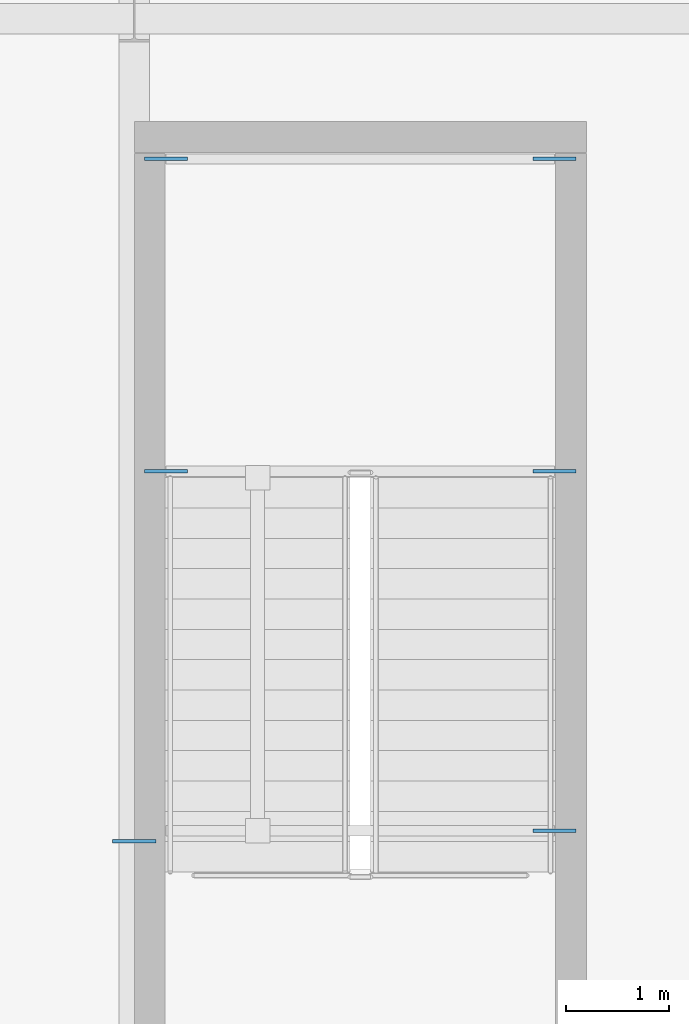
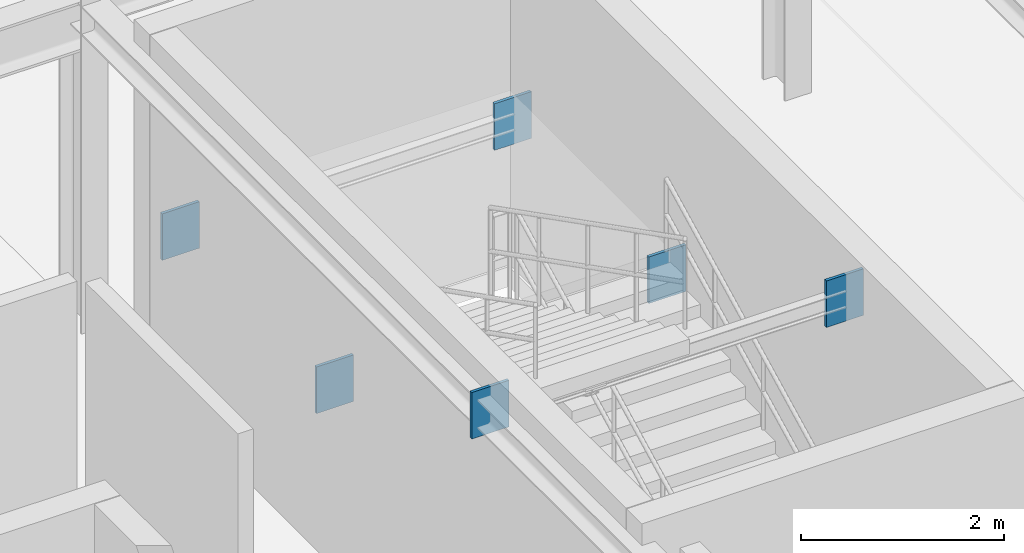
# One storey, part 74 of 124: 6 plates.
"""IFC4 building model written with IfcOpenShell, lengths in metres."""

import ifcopenshell
import ifcopenshell.guid

model = None  # the IFC model being written
_history = None  # IfcOwnerHistory: only IFC2X3 demands one
_inside = {}  # id of a spatial element -> (the spatial element, [elements in it])
_under = {}  # id of a project, library or spatial element -> (it, [spatial elements below it])
_declared = {}  # id of a project -> (the project, [libraries it declares])
_typed = {}  # id of a type object -> (the type object, [elements of that type])
_made_of = {}  # id of a material, layer set ... -> (it, [elements and type objects made of it])


def new_model(schema):
    """Start an empty IFC model of exactly this schema.

    Asked for "IFC4X3", IfcOpenShell would pick the latest addendum, in which some entities
    have other attributes; the version numbers below select the first issue.
    IFC2X3 requires an IfcOwnerHistory on every rooted entity: one is made here for all.
    """
    global model, _history
    if schema == "IFC4X3":
        model = ifcopenshell.file(schema_version=(4, 3, 0, 0))
    else:
        model = ifcopenshell.file(schema=schema)
    _inside.clear()
    _under.clear()
    _declared.clear()
    _typed.clear()
    _made_of.clear()
    _history = None
    if model.schema == "IFC2X3":
        org = make("IfcOrganization", Name="unknown")
        user = make(
            "IfcPersonAndOrganization",
            ThePerson=make("IfcPerson", FamilyName="unknown"),
            TheOrganization=org,
        )
        app = make(
            "IfcApplication",
            ApplicationDeveloper=org,
            Version="unknown",
            ApplicationFullName="unknown",
            ApplicationIdentifier="unknown",
        )
        _history = make(
            "IfcOwnerHistory",
            OwningUser=user,
            OwningApplication=app,
            ChangeAction="ADDED",
            CreationDate=0,
        )
    return model


def make(cls, **values):
    """One entity of the class cls with the attributes given. An attribute that is None is left unset."""
    return model.create_entity(
        cls, **{name: value for name, value in values.items() if value is not None}
    )


def rooted(cls, **values):
    """An entity with a GlobalId (a new one), such as an element, a storey or a relation."""
    return make(cls, GlobalId=ifcopenshell.guid.new(), OwnerHistory=_history, **values)


def si_unit(unit_type, name, prefix=None):
    """IfcSIUnit, for example si_unit("LENGTHUNIT", "METRE", prefix="MILLI")."""
    return make("IfcSIUnit", UnitType=unit_type, Prefix=prefix, Name=name)


def assignment(units):
    """IfcUnitAssignment: the units of a project."""
    return None if units is None else make("IfcUnitAssignment", Units=units)


def point(xyz):
    """IfcCartesianPoint."""
    return None if xyz is None else make("IfcCartesianPoint", Coordinates=xyz)


def direction(xyz):
    """IfcDirection."""
    return None if xyz is None else make("IfcDirection", DirectionRatios=xyz)


def frame(location, z_axis=None, x_axis=None):
    """IfcAxis2Placement3D, a coordinate frame: its origin and axes. An axis left out is left unset."""
    return make(
        "IfcAxis2Placement3D",
        Location=point(location),
        Axis=direction(z_axis),
        RefDirection=direction(x_axis),
    )


def frame_2d(location, x_axis=None):
    """IfcAxis2Placement2D, a coordinate frame in the plane: its origin and x axis."""
    return make(
        "IfcAxis2Placement2D", Location=point(location), RefDirection=direction(x_axis)
    )


def origin():
    """The frame at (0, 0, 0) with its axes left unset."""
    return frame((0.0, 0.0, 0.0))


def origin_2d():
    """The frame at (0, 0) in the plane with its x axis left unset."""
    return frame_2d((0.0, 0.0))


def place(relative_to, where):
    """IfcLocalPlacement: puts the frame where relative to a parent placement (None: the world)."""
    return make(
        "IfcLocalPlacement", PlacementRelTo=relative_to, RelativePlacement=where
    )


def context(
    kind, dimensions, precision=None, world=None, true_north=None, identifier=None
):
    """IfcGeometricRepresentationContext, for example the 3D "Model" context."""
    return make(
        "IfcGeometricRepresentationContext",
        ContextIdentifier=identifier,
        ContextType=kind,
        CoordinateSpaceDimension=dimensions,
        Precision=precision,
        WorldCoordinateSystem=world,
        TrueNorth=true_north,
    )


def subcontext(parent, identifier, kind, view, scale=None):
    """IfcGeometricRepresentationSubContext, for example "Body" below "Model"."""
    return make(
        "IfcGeometricRepresentationSubContext",
        ContextIdentifier=identifier,
        ContextType=kind,
        ParentContext=parent,
        TargetScale=scale,
        TargetView=view,
    )


def project(units=None, contexts=None):
    """IfcProject with its units and contexts."""
    return rooted(
        "IfcProject",
        Name="project",
        RepresentationContexts=contexts,
        UnitsInContext=assignment(units),
    )


def spatial(cls, under=None, at=None, **own):
    """A site, building, storey or space (cls), placed at a placement, below another one or the project."""
    s = rooted(cls, ObjectPlacement=at, **own)
    if under is not None:
        _under.setdefault(under.id(), (under, []))[1].append(s)
    return s


def profile(cls, at=None, kind="AREA", **sizes):
    """A parametric profile (cls). Its sizes go by their IFC names, for example OverallWidth=200.0."""
    return make(cls, ProfileType=kind, Position=at, **sizes)


def rectangle(**sizes):
    """IfcRectangleProfileDef."""
    return profile("IfcRectangleProfileDef", **sizes)


def extrude(swept, where, along, depth):
    """IfcExtrudedAreaSolid: the profile swept, set in the frame where, extruded along a direction by depth."""
    return make(
        "IfcExtrudedAreaSolid",
        SweptArea=swept,
        Position=where,
        ExtrudedDirection=direction(along),
        Depth=depth,
    )


def shape(context_of_items, identifier, shape_type, items):
    """IfcShapeRepresentation: the items that make up one representation, for example the "Body"."""
    return make(
        "IfcShapeRepresentation",
        ContextOfItems=context_of_items,
        RepresentationIdentifier=identifier,
        RepresentationType=shape_type,
        Items=items,
    )


def material(Name=None, Category=None):
    """IfcMaterial."""
    return make("IfcMaterial", Name=Name, Category=Category)


def layer(
    of_material, thickness, ventilated=None, Name=None, Category=None, Priority=None
):
    """IfcMaterialLayer: one layer of a wall or slab, of a material (None: an air gap)."""
    return make(
        "IfcMaterialLayer",
        Material=of_material,
        LayerThickness=thickness,
        IsVentilated=ventilated,
        Name=Name,
        Category=Category,
        Priority=Priority,
    )


def layer_set(layers, Name=None):
    """IfcMaterialLayerSet."""
    return make("IfcMaterialLayerSet", MaterialLayers=layers, LayerSetName=Name)


def made_of(thing, what):
    """Note that an element or type object is made of a material, layer set ...; save() writes the relation."""
    if what is not None:
        _made_of.setdefault(what.id(), (what, []))[1].append(thing)
    return thing


def type_object(cls, material=None, **own):
    """A type object (cls), such as IfcWallType, which elements share."""
    return made_of(rooted(cls, **own), material)


def element(
    cls,
    number,
    at=None,
    inside=None,
    cuts=None,
    type_object=None,
    material=None,
    context=None,
    identifier="Body",
    shape_type=None,
    held_by="IfcProductDefinitionShape",
    body=None,
    shapes=None,
    **own,
):
    """One element of the class cls, such as IfcWall. Its Tag is "e" and its number.

    at: its placement. inside: the storey or other place that contains it. cuts: it is an
    opening in that element (IfcRelVoidsElement). A single representation is given by context,
    identifier, shape_type and body (its items); several are given by shapes. held_by: the class
    of the entity that holds the representations. save() writes the other relations.
    """
    e = rooted(cls, Tag="e%d" % number, ObjectPlacement=at, **own)
    if body is not None:
        shapes = [shape(context, identifier, shape_type, body)]
    if shapes is not None:
        e.Representation = make(held_by, Representations=shapes)
    if inside is not None:
        _inside.setdefault(inside.id(), (inside, []))[1].append(e)
    if cuts is not None:
        rooted(
            "IfcRelVoidsElement", RelatingBuildingElement=cuts, RelatedOpeningElement=e
        )
    if type_object is not None:
        _typed.setdefault(type_object.id(), (type_object, []))[1].append(e)
    return made_of(e, material)


def aggregate(whole, parts):
    """IfcRelAggregates: a whole, such as a stair, and the parts it consists of."""
    return rooted("IfcRelAggregates", RelatingObject=whole, RelatedObjects=parts)


def save(model, path):
    """Write the relations noted so far, then the file.

    IfcRelAggregates (storeys below a building ...), IfcRelContainedInSpatialStructure (elements
    in a storey), IfcRelDefinesByType, IfcRelAssociatesMaterial and IfcRelDeclares: one each for
    every whole, place, type object, material and project.
    """
    for whole, parts in _under.values():
        aggregate(whole, parts)
    for where, things in _inside.values():
        rooted(
            "IfcRelContainedInSpatialStructure",
            RelatedElements=things,
            RelatingStructure=where,
        )
    for kind, things in _typed.values():
        rooted("IfcRelDefinesByType", RelatedObjects=things, RelatingType=kind)
    for what, things in _made_of.values():
        rooted("IfcRelAssociatesMaterial", RelatedObjects=things, RelatingMaterial=what)
    for by, libraries in _declared.values():
        rooted("IfcRelDeclares", RelatingContext=by, RelatedDefinitions=libraries)
    model.write(path)


model = new_model("IFC4")

# Units and contexts
model_context = context("Model", 3, precision=1e-05, world=origin(), true_north=direction((0.0, 1.0)))
body_context = subcontext(model_context, "Body", "Model", "MODEL_VIEW")
ifc_project = project(units=[si_unit("LENGTHUNIT", "METRE"), si_unit("AREAUNIT", "SQUARE_METRE"), si_unit("VOLUMEUNIT", "CUBIC_METRE"), si_unit("PLANEANGLEUNIT", "RADIAN"), si_unit("MASSUNIT", "GRAM", prefix="KILO")], contexts=[model_context])

# Site, building, storey
site_placement = place(None, origin())
site = spatial("IfcSite", under=ifc_project, at=site_placement, CompositionType="ELEMENT")
building_placement = place(site_placement, origin())
building = spatial("IfcBuilding", under=site, at=building_placement, Name="Sundkrona Museum", CompositionType="ELEMENT")
storey_placement = place(building_placement, frame((0.0, 0.0, 17.60009765625)))
storey = spatial("IfcBuildingStorey", under=building, at=storey_placement, Name="L03", CompositionType="ELEMENT", Elevation=17.60009765625)

# Plates
ifc_material = material(Name="Steel S355J2", Category="steel")
ifc_layer = layer(ifc_material, 0.034912109375)
ifc_layer_set = layer_set([ifc_layer], Name="Steel S355J2")
plate_type = type_object("IfcPlateType", Name="EP-1", PredefinedType="USERDEFINED", material=ifc_layer_set)
for number, where, z_axis, x_axis, name in (
    (1, (120.0, 8.0, 3.48486328125), (0.0, 0.0, 1.0), (1.0, 0.0, 0.0), "Core Wall Cast-In Embed Plate BM-L03-Y-1622-2"),
    (2, (120.31005859375, 11.598388671875, 1.499755859375), (0.0, 0.0, 1.0), (1.0, 0.0, 0.0), "Core Wall Cast-In Embed Plate BM-STLD-ST-2-L03-1A-1"),
    (3, (124.090087890625, 11.598388671875, 1.499755859375), (0.0, 0.0, 1.0), (1.0, 0.0, 0.0), "Core Wall Cast-In Embed Plate BM-STLD-ST-2-L03-1A-2"),
    (4, (120.31005859375, 14.63671875, 1.499755859375), (0.0, 0.0, 1.0), (1.0, 0.0, 0.0), "Core Wall Cast-In Embed Plate BM-STLD-ST-2-L03-1B-1"),
    (5, (124.090087890625, 14.63671875, 1.499755859375), (0.0, 0.0, 1.0), (1.0, 0.0, 0.0), "Core Wall Cast-In Embed Plate BM-STLD-ST-2-L03-1B-2"),
    (6, (124.090087890625, 8.10009765625, 3.333251953125), (0.0, 0.0, 1.0), (1.0, 0.0, 0.0), "Core Wall Cast-In Embed Plate BM-STHD-ST-2-L03-2-2"),
):
    element("IfcPlate", number, at=place(storey_placement, frame(where, z_axis=z_axis, x_axis=x_axis)), inside=storey, type_object=plate_type, Name=name, ObjectType="GUSSET PLATE", PredefinedType="USERDEFINED", context=body_context, shape_type="SweptSolid", body=[
        extrude(rectangle(XDim=0.419921875, YDim=0.034912109375, at=origin_2d()), origin(), (0.0, 0.0, 1.0), 0.56005859375),
    ])

save(model, "model.ifc")
